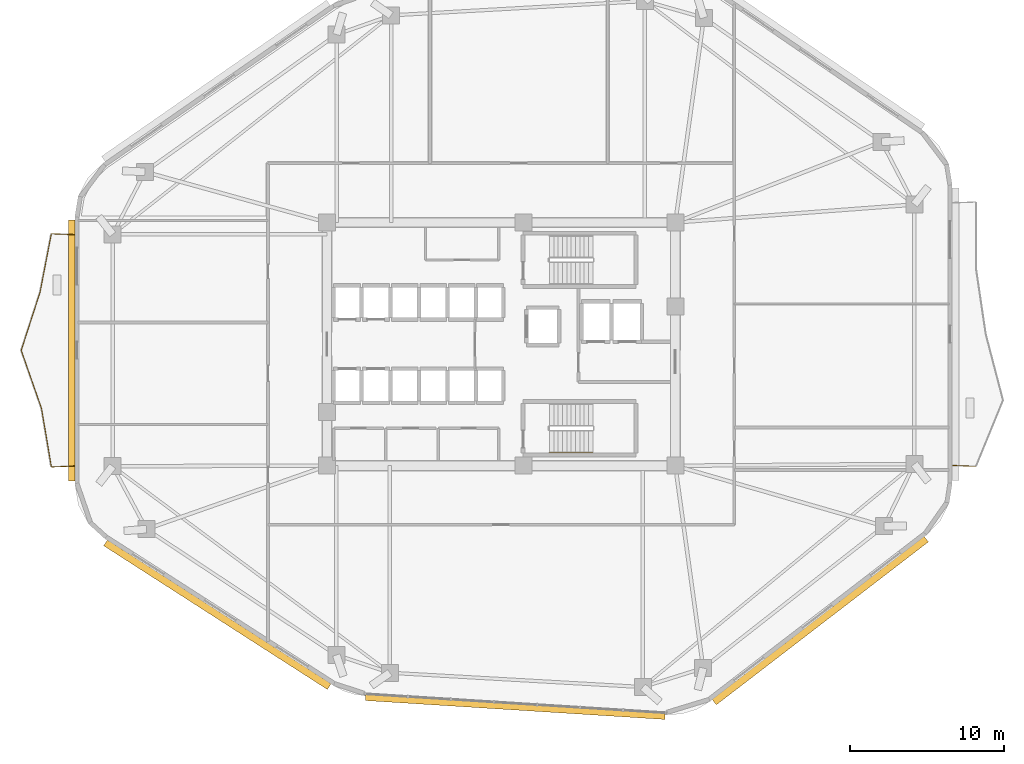
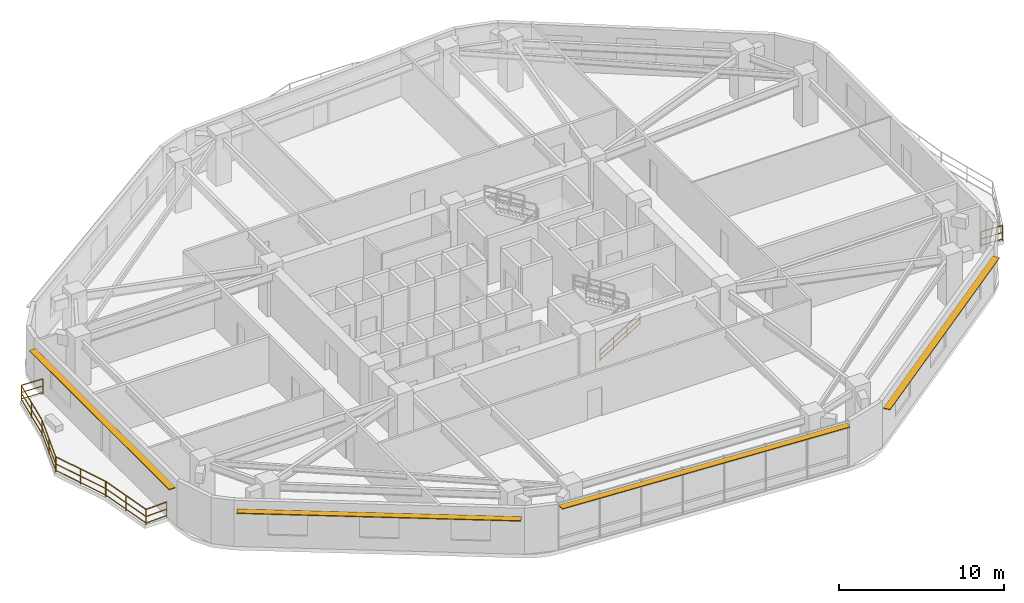
# One storey, part 10 of 12: 8 railings, 4 shading devices.
"""IFC4 building model written with IfcOpenShell, lengths in metres."""

from ifc_helpers import new_model, si_unit, direction, frame, origin, origin_2d, place, context, subcontext, project, spatial, rectangle, extrude, material, layer, layer_set, type_object, element, save


model = new_model("IFC4")

# Units and contexts
model_context = context("Model", 3, precision=1e-05, world=origin(), true_north=direction((0.0, 1.0)))
body_context = subcontext(model_context, "Body", "Model", "MODEL_VIEW")
ifc_project = project(units=[si_unit("LENGTHUNIT", "METRE"), si_unit("AREAUNIT", "SQUARE_METRE"), si_unit("VOLUMEUNIT", "CUBIC_METRE"), si_unit("PLANEANGLEUNIT", "RADIAN"), si_unit("MASSUNIT", "GRAM", prefix="KILO")], contexts=[model_context])

# Site, building, storey
site_placement = place(None, origin())
site = spatial("IfcSite", under=ifc_project, at=site_placement, CompositionType="ELEMENT")
building_placement = place(site_placement, origin())
building = spatial("IfcBuilding", under=site, at=building_placement, Name="Zulverin Broadcast Headquarters", CompositionType="ELEMENT")
storey_placement = place(building_placement, frame((0.0, 0.0, 116.199951171875)))
storey = spatial("IfcBuildingStorey", under=building, at=storey_placement, Name="L29", CompositionType="ELEMENT", Elevation=116.199951171875)

# Railings
ifc_material_1 = material(Name="Brushed stainless steel & laminated glass balustrade", Category="steel")
railing_type_1 = type_object("IfcRailingType", Name="RL-GUARD-1150", PredefinedType="GUARDRAIL", material=ifc_material_1)
railing_1_placement = place(storey_placement, frame((66.239990234375, 17.343505859375, 0.0)))
element("IfcRailing", 1, at=railing_1_placement, inside=storey, type_object=railing_type_1, Name="L29 Vertical-Forest Balcony Guardrail BAL_E Segment 01", PredefinedType="GUARDRAIL", context=body_context, shape_type="SweptSolid", body=[
    extrude(rectangle(XDim=0.048095703125, YDim=0.048095703125, at=origin_2d()), frame((0.0, 0.0, 1.1259765625), z_axis=(0.999174410196, -0.040626321628, 0.0), x_axis=(0.040626321628, 0.999174410196, 0.0)), (0.0, 0.0, 1.0), 1.46630859375),
    extrude(rectangle(XDim=0.0419921875, YDim=0.0419921875, at=origin_2d()), frame((0.0, 0.0, 0.597900390625), z_axis=(0.999174410196, -0.040626321628, 0.0), x_axis=(0.040626321628, 0.999174410196, 0.0)), (0.0, 0.0, 1.0), 1.46630859375),
    extrude(rectangle(XDim=0.0419921875, YDim=0.0419921875, at=origin_2d()), frame((0.0, 0.0, 0.1201171875), z_axis=(0.999174410196, -0.040626321628, 0.0), x_axis=(0.040626321628, 0.999174410196, 0.0)), (0.0, 0.0, 1.0), 1.46630859375),
    extrude(rectangle(XDim=0.0419921875, YDim=0.0419921875, at=origin_2d()), origin(), (0.0, 0.0, 1.0), 1.101806640625),
    extrude(rectangle(XDim=0.0419921875, YDim=0.0419921875, at=origin_2d()), frame((1.465087890625, -0.0595703125, 0.0)), (0.0, 0.0, 1.0), 1.101806640625),
])
railing_2_placement = place(storey_placement, frame((9.360107421875, 32.284423828125, 0.0)))
element("IfcRailing", 2, at=railing_2_placement, inside=storey, type_object=railing_type_1, Name="L29 Vertical-Forest Balcony Guardrail BAL_W Segment 01", PredefinedType="GUARDRAIL", context=body_context, shape_type="SweptSolid", body=[
    extrude(rectangle(XDim=0.048095703125, YDim=0.048095703125, at=origin_2d()), frame((0.0, 0.0, 1.1259765625), z_axis=(-0.999181155166, 0.040460093435, 0.0), x_axis=(-0.040460093435, -0.999181155166, 0.0)), (0.0, 0.0, 1.0), 1.46630859375),
    extrude(rectangle(XDim=0.0419921875, YDim=0.0419921875, at=origin_2d()), frame((0.0, 0.0, 0.597900390625), z_axis=(-0.999181155166, 0.040460093435, 0.0), x_axis=(-0.040460093435, -0.999181155166, 0.0)), (0.0, 0.0, 1.0), 1.46630859375),
    extrude(rectangle(XDim=0.0419921875, YDim=0.0419921875, at=origin_2d()), frame((0.0, 0.0, 0.1201171875), z_axis=(-0.999181155166, 0.040460093435, 0.0), x_axis=(-0.040460093435, -0.999181155166, 0.0)), (0.0, 0.0, 1.0), 1.46630859375),
    extrude(rectangle(XDim=0.0419921875, YDim=0.0419921875, at=origin_2d()), origin(), (0.0, 0.0, 1.0), 1.101806640625),
    extrude(rectangle(XDim=0.0419921875, YDim=0.0419921875, at=origin_2d()), frame((-1.465087890625, 0.059326171875, 0.0)), (0.0, 0.0, 1.0), 1.101806640625),
])
railing_3_placement = place(storey_placement, frame((7.877197265625, 32.32958984375, 0.0)))
element("IfcRailing", 3, at=railing_3_placement, inside=storey, type_object=railing_type_1, Name="L29 Vertical-Forest Balcony Guardrail BAL_W Segment 02", PredefinedType="GUARDRAIL", context=body_context, shape_type="SweptSolid", body=[
    extrude(rectangle(XDim=0.048095703125, YDim=0.048095703125, at=origin_2d()), frame((0.0, 0.0, 1.1259765625), z_axis=(-0.189379095055, -0.981904047428, 0.0), x_axis=(0.981904047428, -0.189379095055, 0.0)), (0.0, 0.0, 1.0), 3.814697265625),
    extrude(rectangle(XDim=0.0419921875, YDim=0.0419921875, at=origin_2d()), frame((0.0, 0.0, 0.597900390625), z_axis=(-0.189379095055, -0.981904047428, 0.0), x_axis=(0.981904047428, -0.189379095055, 0.0)), (0.0, 0.0, 1.0), 3.814697265625),
    extrude(rectangle(XDim=0.0419921875, YDim=0.0419921875, at=origin_2d()), frame((0.0, 0.0, 0.1201171875), z_axis=(-0.189379095055, -0.981904047428, 0.0), x_axis=(0.981904047428, -0.189379095055, 0.0)), (0.0, 0.0, 1.0), 3.814697265625),
    extrude(rectangle(XDim=0.0419921875, YDim=0.0419921875, at=origin_2d()), origin(), (0.0, 0.0, 1.0), 1.101806640625),
    extrude(rectangle(XDim=0.0419921875, YDim=0.0419921875, at=origin_2d()), frame((-0.361328125, -1.872802734375, 0.0)), (0.0, 0.0, 1.0), 1.101806640625),
    extrude(rectangle(XDim=0.0419921875, YDim=0.0419921875, at=origin_2d()), frame((-0.722412109375, -3.74560546875, 0.0)), (0.0, 0.0, 1.0), 1.101806640625),
])
railing_4_placement = place(storey_placement, frame((7.1474609375, 28.554931640625, 0.0)))
element("IfcRailing", 4, at=railing_4_placement, inside=storey, type_object=railing_type_1, Name="L29 Vertical-Forest Balcony Guardrail BAL_W Segment 03", PredefinedType="GUARDRAIL", context=body_context, shape_type="SweptSolid", body=[
    extrude(rectangle(XDim=0.048095703125, YDim=0.048095703125, at=origin_2d()), frame((0.0, 0.0, 1.1259765625), z_axis=(-0.307995247277, -0.951387895474, 0.0), x_axis=(0.951387895474, -0.307995247277, 0.0)), (0.0, 0.0, 1.0), 3.93798828125),
    extrude(rectangle(XDim=0.0419921875, YDim=0.0419921875, at=origin_2d()), frame((0.0, 0.0, 0.597900390625), z_axis=(-0.307995247277, -0.951387895474, 0.0), x_axis=(0.951387895474, -0.307995247277, 0.0)), (0.0, 0.0, 1.0), 3.93798828125),
    extrude(rectangle(XDim=0.0419921875, YDim=0.0419921875, at=origin_2d()), frame((0.0, 0.0, 0.1201171875), z_axis=(-0.307995247277, -0.951387895474, 0.0), x_axis=(0.951387895474, -0.307995247277, 0.0)), (0.0, 0.0, 1.0), 3.93798828125),
    extrude(rectangle(XDim=0.0419921875, YDim=0.0419921875, at=origin_2d()), origin(), (0.0, 0.0, 1.0), 1.101806640625),
    extrude(rectangle(XDim=0.0419921875, YDim=0.0419921875, at=origin_2d()), frame((-0.6064453125, -1.873291015625, 0.0)), (0.0, 0.0, 1.0), 1.101806640625),
    extrude(rectangle(XDim=0.0419921875, YDim=0.0419921875, at=origin_2d()), frame((-1.212890625, -3.74658203125, 0.0)), (0.0, 0.0, 1.0), 1.101806640625),
])
railing_5_placement = place(storey_placement, frame((5.934814453125, 24.77978515625, 0.0)))
element("IfcRailing", 5, at=railing_5_placement, inside=storey, type_object=railing_type_1, Name="L29 Vertical-Forest Balcony Guardrail BAL_W Segment 04", PredefinedType="GUARDRAIL", context=body_context, shape_type="SweptSolid", body=[
    extrude(rectangle(XDim=0.048095703125, YDim=0.048095703125, at=origin_2d()), frame((0.0, 0.0, 1.1259765625), z_axis=(0.329832515305, -0.944039465196, 0.0), x_axis=(0.944039465196, 0.329832515305, 0.0)), (0.0, 0.0, 1.0), 3.968994140625),
    extrude(rectangle(XDim=0.0419921875, YDim=0.0419921875, at=origin_2d()), frame((0.0, 0.0, 0.597900390625), z_axis=(0.329832515305, -0.944039465196, 0.0), x_axis=(0.944039465196, 0.329832515305, 0.0)), (0.0, 0.0, 1.0), 3.968994140625),
    extrude(rectangle(XDim=0.0419921875, YDim=0.0419921875, at=origin_2d()), frame((0.0, 0.0, 0.1201171875), z_axis=(0.329832515305, -0.944039465196, 0.0), x_axis=(0.944039465196, 0.329832515305, 0.0)), (0.0, 0.0, 1.0), 3.968994140625),
    extrude(rectangle(XDim=0.0419921875, YDim=0.0419921875, at=origin_2d()), origin(), (0.0, 0.0, 1.0), 1.101806640625),
    extrude(rectangle(XDim=0.0419921875, YDim=0.0419921875, at=origin_2d()), frame((0.654541015625, -1.87353515625, 0.0)), (0.0, 0.0, 1.0), 1.101806640625),
    extrude(rectangle(XDim=0.0419921875, YDim=0.0419921875, at=origin_2d()), frame((1.30908203125, -3.746826171875, 0.0)), (0.0, 0.0, 1.0), 1.101806640625),
])
railing_6_placement = place(storey_placement, frame((7.251220703125, 21.00390625, 0.0)))
element("IfcRailing", 6, at=railing_6_placement, inside=storey, type_object=railing_type_1, Name="L29 Vertical-Forest Balcony Guardrail BAL_W Segment 05", PredefinedType="GUARDRAIL", context=body_context, shape_type="SweptSolid", body=[
    extrude(rectangle(XDim=0.048095703125, YDim=0.048095703125, at=origin_2d()), frame((0.0, 0.0, 1.1259765625), z_axis=(0.164899372021, -0.986310395924, 0.0), x_axis=(0.986310395924, 0.164899372021, 0.0)), (0.0, 0.0, 1.0), 3.797607421875),
    extrude(rectangle(XDim=0.0419921875, YDim=0.0419921875, at=origin_2d()), frame((0.0, 0.0, 0.597900390625), z_axis=(0.164899372021, -0.986310395924, 0.0), x_axis=(0.986310395924, 0.164899372021, 0.0)), (0.0, 0.0, 1.0), 3.797607421875),
    extrude(rectangle(XDim=0.0419921875, YDim=0.0419921875, at=origin_2d()), frame((0.0, 0.0, 0.1201171875), z_axis=(0.164899372021, -0.986310395924, 0.0), x_axis=(0.986310395924, 0.164899372021, 0.0)), (0.0, 0.0, 1.0), 3.797607421875),
    extrude(rectangle(XDim=0.0419921875, YDim=0.0419921875, at=origin_2d()), origin(), (0.0, 0.0, 1.0), 1.101806640625),
    extrude(rectangle(XDim=0.0419921875, YDim=0.0419921875, at=origin_2d()), frame((0.31298828125, -1.872802734375, 0.0)), (0.0, 0.0, 1.0), 1.101806640625),
    extrude(rectangle(XDim=0.0419921875, YDim=0.0419921875, at=origin_2d()), frame((0.626220703125, -3.74560546875, 0.0)), (0.0, 0.0, 1.0), 1.101806640625),
])
railing_7_placement = place(storey_placement, frame((7.89501953125, 17.244140625, 0.0)))
element("IfcRailing", 7, at=railing_7_placement, inside=storey, type_object=railing_type_1, Name="L29 Vertical-Forest Balcony Guardrail BAL_W Segment 06", PredefinedType="GUARDRAIL", context=body_context, shape_type="SweptSolid", body=[
    extrude(rectangle(XDim=0.048095703125, YDim=0.048095703125, at=origin_2d()), frame((0.0, 0.0, 1.1259765625), z_axis=(0.999174410196, 0.040626321628, 0.0), x_axis=(-0.040626321628, 0.999174410196, 0.0)), (0.0, 0.0, 1.0), 1.46630859375),
    extrude(rectangle(XDim=0.0419921875, YDim=0.0419921875, at=origin_2d()), frame((0.0, 0.0, 0.597900390625), z_axis=(0.999174410196, 0.040626321628, 0.0), x_axis=(-0.040626321628, 0.999174410196, 0.0)), (0.0, 0.0, 1.0), 1.46630859375),
    extrude(rectangle(XDim=0.0419921875, YDim=0.0419921875, at=origin_2d()), frame((0.0, 0.0, 0.1201171875), z_axis=(0.999174410196, 0.040626321628, 0.0), x_axis=(-0.040626321628, 0.999174410196, 0.0)), (0.0, 0.0, 1.0), 1.46630859375),
    extrude(rectangle(XDim=0.0419921875, YDim=0.0419921875, at=origin_2d()), origin(), (0.0, 0.0, 1.0), 1.101806640625),
    extrude(rectangle(XDim=0.0419921875, YDim=0.0419921875, at=origin_2d()), frame((1.465087890625, 0.0595703125, 0.0)), (0.0, 0.0, 1.0), 1.101806640625),
])
ifc_material_2 = material(Name="Brushed stainless steel 48 mm handrail", Category="steel")
railing_type_2 = type_object("IfcRailingType", Name="RL-ST-HAND", PredefinedType="HANDRAIL", material=ifc_material_2)
railing_8_placement = place(storey_placement, frame((40.1298828125, 18.199951171875, 0.1728515625)))
element("IfcRailing", 8, at=railing_8_placement, inside=storey, type_object=railing_type_2, Name="L29 ST-2 stair handrail 1", PredefinedType="HANDRAIL", context=body_context, shape_type="SweptSolid", body=[
    extrude(rectangle(XDim=0.048095703125, YDim=0.048095703125, at=origin_2d()), frame((0.0, 0.0, 0.8759765625), z_axis=(0.851089632645, 0.0, 0.525020415988), x_axis=(0.0, 1.0, 0.0)), (0.0, 0.0, 1.0), 3.2900390625),
    extrude(rectangle(XDim=0.0419921875, YDim=0.0419921875, at=origin_2d()), frame((0.0, 0.0, 0.468017578125), z_axis=(0.851089632645, 0.0, 0.525020415988), x_axis=(0.0, 1.0, 0.0)), (0.0, 0.0, 1.0), 3.2900390625),
    extrude(rectangle(XDim=0.0419921875, YDim=0.0419921875, at=origin_2d()), frame((0.0, 0.0, 0.1201171875), z_axis=(0.851089632645, 0.0, 0.525020415988), x_axis=(0.0, 1.0, 0.0)), (0.0, 0.0, 1.0), 3.2900390625),
    extrude(rectangle(XDim=0.0419921875, YDim=0.0419921875, at=origin_2d()), origin(), (0.0, 0.0, 1.0), 0.851806640625),
    extrude(rectangle(XDim=0.0419921875, YDim=0.0419921875, at=origin_2d()), frame((0.933349609375, 0.0, 0.57568359375)), (0.0, 0.0, 1.0), 0.851806640625),
    extrude(rectangle(XDim=0.0419921875, YDim=0.0419921875, at=origin_2d()), frame((1.86669921875, 0.0, 1.151611328125)), (0.0, 0.0, 1.0), 0.851806640625),
    extrude(rectangle(XDim=0.0419921875, YDim=0.0419921875, at=origin_2d()), frame((2.800048828125, 0.0, 1.727294921875)), (0.0, 0.0, 1.0), 0.851806640625),
])

# Shading devices
ifc_material_3 = material(Name="Anodized pale-metal aluminium sunshade", Category="aluminium")
ifc_layer = layer(ifc_material_3, 0.06005859375, Name="Anodized pale-metal aluminium sunshade", Category="aluminium")
ifc_layer_set = layer_set([ifc_layer], Name="Anodized pale-metal aluminium sunshade")
shading_device_type = type_object("IfcShadingDeviceType", Name="SS-01_PALE_METAL_ALUMINIUM_SUNSHADE", PredefinedType="USERDEFINED", material=ifc_layer_set)
shading_device_1_placement = place(storey_placement, frame((37.91650390625, 1.735595703125, 3.169921875), z_axis=(0.0, 0.0, 1.0), x_axis=(0.998017182581, -0.062942062821, 0.0)))
element("IfcShadingDevice", 9, at=shading_device_1_placement, inside=storey, type_object=shading_device_type, Name="L29 Pale-Metal Horizontal Sunshade Band CW-L29-E1", ObjectType="SUNSHADE", PredefinedType="USERDEFINED", context=body_context, shape_type="SweptSolid", body=[
    extrude(rectangle(XDim=19.43701171875, YDim=0.449951171875, at=origin_2d()), origin(), (0.0, 0.0, 1.0), 0.06005859375),
])
shading_device_2_placement = place(storey_placement, frame((57.658447265625, 7.29833984375, 2.7099609375), z_axis=(0.0, 0.0, 1.0), x_axis=(0.792933468586, 0.609308226102, 0.0)))
element("IfcShadingDevice", 10, at=shading_device_2_placement, inside=storey, type_object=shading_device_type, Name="L29 Horizontal Pale-Metal Sunshade Band 2", ObjectType="SUNSHADE", PredefinedType="USERDEFINED", context=body_context, shape_type="SweptSolid", body=[
    extrude(rectangle(XDim=17.312744140625, YDim=0.449951171875, at=origin_2d()), origin(), (0.0, 0.0, 1.0), 0.06005859375),
])
shading_device_3_placement = place(storey_placement, frame((9.199951171875, 24.7939453125, 2.7099609375), z_axis=(0.0, 0.0, 1.0), x_axis=(0.0, -1.0, 0.0)))
element("IfcShadingDevice", 11, at=shading_device_3_placement, inside=storey, type_object=shading_device_type, Name="L29 Horizontal Pale-Metal Sunshade Band 7", ObjectType="SUNSHADE", PredefinedType="USERDEFINED", context=body_context, shape_type="SweptSolid", body=[
    extrude(rectangle(XDim=16.90087890625, YDim=0.449951171875, at=origin_2d()), origin(), (0.0, 0.0, 1.0), 0.06005859375),
])
shading_device_4_placement = place(storey_placement, frame((18.6298828125, 7.681640625, 2.7099609375), z_axis=(0.0, 0.0, 1.0), x_axis=(0.841296678234, -0.540573676007, 0.0)))
element("IfcShadingDevice", 12, at=shading_device_4_placement, inside=storey, type_object=shading_device_type, Name="L29 Horizontal Pale-Metal Sunshade Band 8", ObjectType="SUNSHADE", PredefinedType="USERDEFINED", context=body_context, shape_type="SweptSolid", body=[
    extrude(rectangle(XDim=17.2119140625, YDim=0.449951171875, at=origin_2d()), origin(), (0.0, 0.0, 1.0), 0.06005859375),
])

save(model, "model.ifc")
